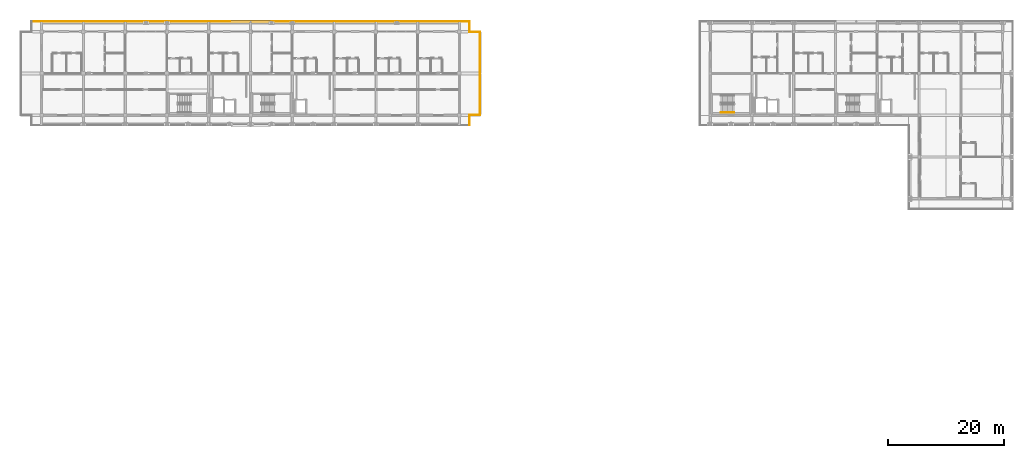
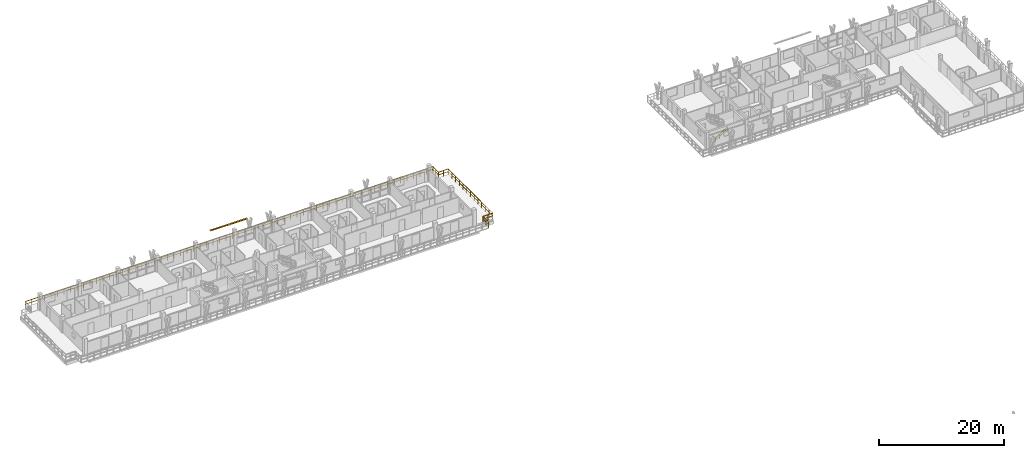
# One storey, part 52 of 56: 7 railings, 1 shading device.
"""IFC4 building model written with IfcOpenShell, lengths in metres."""

from ifc_helpers import new_model, si_unit, direction, frame, origin, origin_2d, place, context, subcontext, project, spatial, rectangle, extrude, material, type_object, element, save


model = new_model("IFC4")

# Units and contexts
model_context = context("Model", 3, precision=1e-05, world=origin(), true_north=direction((0.0, 1.0)))
body_context = subcontext(model_context, "Body", "Model", "MODEL_VIEW")
ifc_project = project(units=[si_unit("LENGTHUNIT", "METRE"), si_unit("AREAUNIT", "SQUARE_METRE"), si_unit("VOLUMEUNIT", "CUBIC_METRE"), si_unit("PLANEANGLEUNIT", "RADIAN"), si_unit("MASSUNIT", "GRAM", prefix="KILO")], contexts=[model_context])

# Site, building, storey
site_placement = place(None, origin())
site = spatial("IfcSite", under=ifc_project, at=site_placement, CompositionType="ELEMENT")
building_placement = place(site_placement, origin())
building = spatial("IfcBuilding", under=site, at=building_placement, Name="Suanplinth Sawtooth Commons", CompositionType="ELEMENT")
storey_placement = place(building_placement, frame((0.0, 0.0, 34.800048828125)))
storey = spatial("IfcBuildingStorey", under=building, at=storey_placement, Name="L10", CompositionType="ELEMENT", Elevation=34.800048828125)

# Railings
ifc_material_1 = material(Name="Powder-coated galvanized steel", Category="steel")
railing_type_1 = type_object("IfcRailingType", Name="GR-01", PredefinedType="BALUSTRADE", material=ifc_material_1)
railing_1_placement = place(storey_placement, frame((19.860107421875, 124.139892578125, 0.0)))
element("IfcRailing", 1, at=railing_1_placement, inside=storey, type_object=railing_type_1, Name="L10 Block A Perimeter Balustrade 5", PredefinedType="BALUSTRADE", context=body_context, shape_type="SweptSolid", body=[
    extrude(rectangle(XDim=0.048095703125, YDim=0.048095703125, at=origin_2d()), frame((0.0, 0.0, 1.09619140625), z_axis=(1.0, 0.0, 0.0), x_axis=(0.0, 1.0, 0.0)), (0.0, 0.0, 1.0), 75.47998046875),
    extrude(rectangle(XDim=0.03369140625, YDim=0.03369140625, at=origin_2d()), frame((0.0, 0.0, 0.56005859375), z_axis=(1.0, 0.0, 0.0), x_axis=(0.0, 1.0, 0.0)), (0.0, 0.0, 1.0), 75.47998046875),
    extrude(rectangle(XDim=0.0419921875, YDim=0.0419921875, at=origin_2d()), origin(), (0.0, 0.0, 1.0), 1.072021484375),
    extrude(rectangle(XDim=0.0419921875, YDim=0.0419921875, at=origin_2d()), frame((1.197998046875, 0.0, 0.0)), (0.0, 0.0, 1.0), 1.072021484375),
    extrude(rectangle(XDim=0.0419921875, YDim=0.0419921875, at=origin_2d()), frame((2.396240234375, 0.0, 0.0)), (0.0, 0.0, 1.0), 1.072021484375),
    extrude(rectangle(XDim=0.0419921875, YDim=0.0419921875, at=origin_2d()), frame((3.59423828125, 0.0, 0.0)), (0.0, 0.0, 1.0), 1.072021484375),
    extrude(rectangle(XDim=0.0419921875, YDim=0.0419921875, at=origin_2d()), frame((4.79248046875, 0.0, 0.0)), (0.0, 0.0, 1.0), 1.072021484375),
    extrude(rectangle(XDim=0.0419921875, YDim=0.0419921875, at=origin_2d()), frame((5.990478515625, 0.0, 0.0)), (0.0, 0.0, 1.0), 1.072021484375),
    extrude(rectangle(XDim=0.0419921875, YDim=0.0419921875, at=origin_2d()), frame((7.1884765625, 0.0, 0.0)), (0.0, 0.0, 1.0), 1.072021484375),
    extrude(rectangle(XDim=0.0419921875, YDim=0.0419921875, at=origin_2d()), frame((8.38671875, 0.0, 0.0)), (0.0, 0.0, 1.0), 1.072021484375),
    extrude(rectangle(XDim=0.0419921875, YDim=0.0419921875, at=origin_2d()), frame((9.584716796875, 0.0, 0.0)), (0.0, 0.0, 1.0), 1.072021484375),
    extrude(rectangle(XDim=0.0419921875, YDim=0.0419921875, at=origin_2d()), frame((10.782958984375, 0.0, 0.0)), (0.0, 0.0, 1.0), 1.072021484375),
    extrude(rectangle(XDim=0.0419921875, YDim=0.0419921875, at=origin_2d()), frame((11.98095703125, 0.0, 0.0)), (0.0, 0.0, 1.0), 1.072021484375),
    extrude(rectangle(XDim=0.0419921875, YDim=0.0419921875, at=origin_2d()), frame((13.178955078125, 0.0, 0.0)), (0.0, 0.0, 1.0), 1.072021484375),
    extrude(rectangle(XDim=0.0419921875, YDim=0.0419921875, at=origin_2d()), frame((14.377197265625, 0.0, 0.0)), (0.0, 0.0, 1.0), 1.072021484375),
    extrude(rectangle(XDim=0.0419921875, YDim=0.0419921875, at=origin_2d()), frame((15.5751953125, 0.0, 0.0)), (0.0, 0.0, 1.0), 1.072021484375),
    extrude(rectangle(XDim=0.0419921875, YDim=0.0419921875, at=origin_2d()), frame((16.7734375, 0.0, 0.0)), (0.0, 0.0, 1.0), 1.072021484375),
    extrude(rectangle(XDim=0.0419921875, YDim=0.0419921875, at=origin_2d()), frame((17.971435546875, 0.0, 0.0)), (0.0, 0.0, 1.0), 1.072021484375),
    extrude(rectangle(XDim=0.0419921875, YDim=0.0419921875, at=origin_2d()), frame((19.16943359375, 0.0, 0.0)), (0.0, 0.0, 1.0), 1.072021484375),
    extrude(rectangle(XDim=0.0419921875, YDim=0.0419921875, at=origin_2d()), frame((20.36767578125, 0.0, 0.0)), (0.0, 0.0, 1.0), 1.072021484375),
    extrude(rectangle(XDim=0.0419921875, YDim=0.0419921875, at=origin_2d()), frame((21.565673828125, 0.0, 0.0)), (0.0, 0.0, 1.0), 1.072021484375),
    extrude(rectangle(XDim=0.0419921875, YDim=0.0419921875, at=origin_2d()), frame((22.763916015625, 0.0, 0.0)), (0.0, 0.0, 1.0), 1.072021484375),
    extrude(rectangle(XDim=0.0419921875, YDim=0.0419921875, at=origin_2d()), frame((23.9619140625, 0.0, 0.0)), (0.0, 0.0, 1.0), 1.072021484375),
    extrude(rectangle(XDim=0.0419921875, YDim=0.0419921875, at=origin_2d()), frame((25.159912109375, 0.0, 0.0)), (0.0, 0.0, 1.0), 1.072021484375),
    extrude(rectangle(XDim=0.0419921875, YDim=0.0419921875, at=origin_2d()), frame((26.358154296875, 0.0, 0.0)), (0.0, 0.0, 1.0), 1.072021484375),
    extrude(rectangle(XDim=0.0419921875, YDim=0.0419921875, at=origin_2d()), frame((27.55615234375, 0.0, 0.0)), (0.0, 0.0, 1.0), 1.072021484375),
    extrude(rectangle(XDim=0.0419921875, YDim=0.0419921875, at=origin_2d()), frame((28.75439453125, 0.0, 0.0)), (0.0, 0.0, 1.0), 1.072021484375),
    extrude(rectangle(XDim=0.0419921875, YDim=0.0419921875, at=origin_2d()), frame((29.952392578125, 0.0, 0.0)), (0.0, 0.0, 1.0), 1.072021484375),
    extrude(rectangle(XDim=0.0419921875, YDim=0.0419921875, at=origin_2d()), frame((31.150390625, 0.0, 0.0)), (0.0, 0.0, 1.0), 1.072021484375),
    extrude(rectangle(XDim=0.0419921875, YDim=0.0419921875, at=origin_2d()), frame((32.3486328125, 0.0, 0.0)), (0.0, 0.0, 1.0), 1.072021484375),
    extrude(rectangle(XDim=0.0419921875, YDim=0.0419921875, at=origin_2d()), frame((33.546630859375, 0.0, 0.0)), (0.0, 0.0, 1.0), 1.072021484375),
    extrude(rectangle(XDim=0.0419921875, YDim=0.0419921875, at=origin_2d()), frame((34.744873046875, 0.0, 0.0)), (0.0, 0.0, 1.0), 1.072021484375),
    extrude(rectangle(XDim=0.0419921875, YDim=0.0419921875, at=origin_2d()), frame((35.94287109375, 0.0, 0.0)), (0.0, 0.0, 1.0), 1.072021484375),
    extrude(rectangle(XDim=0.0419921875, YDim=0.0419921875, at=origin_2d()), frame((37.140869140625, 0.0, 0.0)), (0.0, 0.0, 1.0), 1.072021484375),
    extrude(rectangle(XDim=0.0419921875, YDim=0.0419921875, at=origin_2d()), frame((38.339111328125, 0.0, 0.0)), (0.0, 0.0, 1.0), 1.072021484375),
    extrude(rectangle(XDim=0.0419921875, YDim=0.0419921875, at=origin_2d()), frame((39.537109375, 0.0, 0.0)), (0.0, 0.0, 1.0), 1.072021484375),
    extrude(rectangle(XDim=0.0419921875, YDim=0.0419921875, at=origin_2d()), frame((40.735107421875, 0.0, 0.0)), (0.0, 0.0, 1.0), 1.072021484375),
    extrude(rectangle(XDim=0.0419921875, YDim=0.0419921875, at=origin_2d()), frame((41.933349609375, 0.0, 0.0)), (0.0, 0.0, 1.0), 1.072021484375),
    extrude(rectangle(XDim=0.0419921875, YDim=0.0419921875, at=origin_2d()), frame((43.13134765625, 0.0, 0.0)), (0.0, 0.0, 1.0), 1.072021484375),
    extrude(rectangle(XDim=0.0419921875, YDim=0.0419921875, at=origin_2d()), frame((44.32958984375, 0.0, 0.0)), (0.0, 0.0, 1.0), 1.072021484375),
    extrude(rectangle(XDim=0.0419921875, YDim=0.0419921875, at=origin_2d()), frame((45.527587890625, 0.0, 0.0)), (0.0, 0.0, 1.0), 1.072021484375),
    extrude(rectangle(XDim=0.0419921875, YDim=0.0419921875, at=origin_2d()), frame((46.7255859375, 0.0, 0.0)), (0.0, 0.0, 1.0), 1.072021484375),
    extrude(rectangle(XDim=0.0419921875, YDim=0.0419921875, at=origin_2d()), frame((47.923828125, 0.0, 0.0)), (0.0, 0.0, 1.0), 1.072021484375),
    extrude(rectangle(XDim=0.0419921875, YDim=0.0419921875, at=origin_2d()), frame((49.121826171875, 0.0, 0.0)), (0.0, 0.0, 1.0), 1.072021484375),
    extrude(rectangle(XDim=0.0419921875, YDim=0.0419921875, at=origin_2d()), frame((50.320068359375, 0.0, 0.0)), (0.0, 0.0, 1.0), 1.072021484375),
    extrude(rectangle(XDim=0.0419921875, YDim=0.0419921875, at=origin_2d()), frame((51.51806640625, 0.0, 0.0)), (0.0, 0.0, 1.0), 1.072021484375),
    extrude(rectangle(XDim=0.0419921875, YDim=0.0419921875, at=origin_2d()), frame((52.716064453125, 0.0, 0.0)), (0.0, 0.0, 1.0), 1.072021484375),
    extrude(rectangle(XDim=0.0419921875, YDim=0.0419921875, at=origin_2d()), frame((53.914306640625, 0.0, 0.0)), (0.0, 0.0, 1.0), 1.072021484375),
    extrude(rectangle(XDim=0.0419921875, YDim=0.0419921875, at=origin_2d()), frame((55.1123046875, 0.0, 0.0)), (0.0, 0.0, 1.0), 1.072021484375),
    extrude(rectangle(XDim=0.0419921875, YDim=0.0419921875, at=origin_2d()), frame((56.310546875, 0.0, 0.0)), (0.0, 0.0, 1.0), 1.072021484375),
    extrude(rectangle(XDim=0.0419921875, YDim=0.0419921875, at=origin_2d()), frame((57.508544921875, 0.0, 0.0)), (0.0, 0.0, 1.0), 1.072021484375),
    extrude(rectangle(XDim=0.0419921875, YDim=0.0419921875, at=origin_2d()), frame((58.70654296875, 0.0, 0.0)), (0.0, 0.0, 1.0), 1.072021484375),
    extrude(rectangle(XDim=0.0419921875, YDim=0.0419921875, at=origin_2d()), frame((59.90478515625, 0.0, 0.0)), (0.0, 0.0, 1.0), 1.072021484375),
    extrude(rectangle(XDim=0.0419921875, YDim=0.0419921875, at=origin_2d()), frame((61.102783203125, 0.0, 0.0)), (0.0, 0.0, 1.0), 1.072021484375),
    extrude(rectangle(XDim=0.0419921875, YDim=0.0419921875, at=origin_2d()), frame((62.301025390625, 0.0, 0.0)), (0.0, 0.0, 1.0), 1.072021484375),
    extrude(rectangle(XDim=0.0419921875, YDim=0.0419921875, at=origin_2d()), frame((63.4990234375, 0.0, 0.0)), (0.0, 0.0, 1.0), 1.072021484375),
    extrude(rectangle(XDim=0.0419921875, YDim=0.0419921875, at=origin_2d()), frame((64.697021484375, 0.0, 0.0)), (0.0, 0.0, 1.0), 1.072021484375),
    extrude(rectangle(XDim=0.0419921875, YDim=0.0419921875, at=origin_2d()), frame((65.895263671875, 0.0, 0.0)), (0.0, 0.0, 1.0), 1.072021484375),
    extrude(rectangle(XDim=0.0419921875, YDim=0.0419921875, at=origin_2d()), frame((67.09326171875, 0.0, 0.0)), (0.0, 0.0, 1.0), 1.072021484375),
    extrude(rectangle(XDim=0.0419921875, YDim=0.0419921875, at=origin_2d()), frame((68.29150390625, 0.0, 0.0)), (0.0, 0.0, 1.0), 1.072021484375),
    extrude(rectangle(XDim=0.0419921875, YDim=0.0419921875, at=origin_2d()), frame((69.489501953125, 0.0, 0.0)), (0.0, 0.0, 1.0), 1.072021484375),
    extrude(rectangle(XDim=0.0419921875, YDim=0.0419921875, at=origin_2d()), frame((70.6875, 0.0, 0.0)), (0.0, 0.0, 1.0), 1.072021484375),
    extrude(rectangle(XDim=0.0419921875, YDim=0.0419921875, at=origin_2d()), frame((71.8857421875, 0.0, 0.0)), (0.0, 0.0, 1.0), 1.072021484375),
    extrude(rectangle(XDim=0.0419921875, YDim=0.0419921875, at=origin_2d()), frame((73.083740234375, 0.0, 0.0)), (0.0, 0.0, 1.0), 1.072021484375),
    extrude(rectangle(XDim=0.0419921875, YDim=0.0419921875, at=origin_2d()), frame((74.281982421875, 0.0, 0.0)), (0.0, 0.0, 1.0), 1.072021484375),
    extrude(rectangle(XDim=0.0419921875, YDim=0.0419921875, at=origin_2d()), frame((75.47998046875, 0.0, 0.0)), (0.0, 0.0, 1.0), 1.072021484375),
])
railing_2_placement = place(storey_placement, frame((95.340087890625, 124.139892578125, 0.0)))
element("IfcRailing", 2, at=railing_2_placement, inside=storey, type_object=railing_type_1, Name="L10 Block A Perimeter Balustrade 6", PredefinedType="BALUSTRADE", context=body_context, shape_type="SweptSolid", body=[
    extrude(rectangle(XDim=0.048095703125, YDim=0.048095703125, at=origin_2d()), frame((0.0, 0.0, 1.09619140625), z_axis=(0.0, -1.0, 0.0), x_axis=(1.0, 0.0, 0.0)), (0.0, 0.0, 1.0), 1.7998046875),
    extrude(rectangle(XDim=0.03369140625, YDim=0.03369140625, at=origin_2d()), frame((0.0, 0.0, 0.56005859375), z_axis=(0.0, -1.0, 0.0), x_axis=(1.0, 0.0, 0.0)), (0.0, 0.0, 1.0), 1.7998046875),
    extrude(rectangle(XDim=0.0419921875, YDim=0.0419921875, at=origin_2d()), origin(), (0.0, 0.0, 1.0), 1.072021484375),
    extrude(rectangle(XDim=0.0419921875, YDim=0.0419921875, at=origin_2d()), frame((0.0, -0.89990234375, 0.0)), (0.0, 0.0, 1.0), 1.072021484375),
    extrude(rectangle(XDim=0.0419921875, YDim=0.0419921875, at=origin_2d()), frame((0.0, -1.7998046875, 0.0)), (0.0, 0.0, 1.0), 1.072021484375),
])
railing_3_placement = place(storey_placement, frame((95.340087890625, 122.340087890625, 0.0)))
element("IfcRailing", 3, at=railing_3_placement, inside=storey, type_object=railing_type_1, Name="L10 Block A Perimeter Balustrade 7", PredefinedType="BALUSTRADE", context=body_context, shape_type="SweptSolid", body=[
    extrude(rectangle(XDim=0.048095703125, YDim=0.048095703125, at=origin_2d()), frame((0.0, 0.0, 1.09619140625), z_axis=(1.0, 0.0, 0.0), x_axis=(0.0, 1.0, 0.0)), (0.0, 0.0, 1.0), 1.7998046875),
    extrude(rectangle(XDim=0.03369140625, YDim=0.03369140625, at=origin_2d()), frame((0.0, 0.0, 0.56005859375), z_axis=(1.0, 0.0, 0.0), x_axis=(0.0, 1.0, 0.0)), (0.0, 0.0, 1.0), 1.7998046875),
    extrude(rectangle(XDim=0.0419921875, YDim=0.0419921875, at=origin_2d()), origin(), (0.0, 0.0, 1.0), 1.072021484375),
    extrude(rectangle(XDim=0.0419921875, YDim=0.0419921875, at=origin_2d()), frame((0.89990234375, 0.0, 0.0)), (0.0, 0.0, 1.0), 1.072021484375),
    extrude(rectangle(XDim=0.0419921875, YDim=0.0419921875, at=origin_2d()), frame((1.7998046875, 0.0, 0.0)), (0.0, 0.0, 1.0), 1.072021484375),
])
railing_4_placement = place(storey_placement, frame((97.139892578125, 122.340087890625, 0.0)))
element("IfcRailing", 4, at=railing_4_placement, inside=storey, type_object=railing_type_1, Name="L10 Block A Perimeter Balustrade 8", PredefinedType="BALUSTRADE", context=body_context, shape_type="SweptSolid", body=[
    extrude(rectangle(XDim=0.048095703125, YDim=0.048095703125, at=origin_2d()), frame((0.0, 0.0, 1.09619140625), z_axis=(0.0, -1.0, 0.0), x_axis=(1.0, 0.0, 0.0)), (0.0, 0.0, 1.0), 14.280029296875),
    extrude(rectangle(XDim=0.03369140625, YDim=0.03369140625, at=origin_2d()), frame((0.0, 0.0, 0.56005859375), z_axis=(0.0, -1.0, 0.0), x_axis=(1.0, 0.0, 0.0)), (0.0, 0.0, 1.0), 14.280029296875),
    extrude(rectangle(XDim=0.0419921875, YDim=0.0419921875, at=origin_2d()), origin(), (0.0, 0.0, 1.0), 1.072021484375),
    extrude(rectangle(XDim=0.0419921875, YDim=0.0419921875, at=origin_2d()), frame((0.0, -1.18994140625, 0.0)), (0.0, 0.0, 1.0), 1.072021484375),
    extrude(rectangle(XDim=0.0419921875, YDim=0.0419921875, at=origin_2d()), frame((0.0, -2.3798828125, 0.0)), (0.0, 0.0, 1.0), 1.072021484375),
    extrude(rectangle(XDim=0.0419921875, YDim=0.0419921875, at=origin_2d()), frame((0.0, -3.570068359375, 0.0)), (0.0, 0.0, 1.0), 1.072021484375),
    extrude(rectangle(XDim=0.0419921875, YDim=0.0419921875, at=origin_2d()), frame((0.0, -4.760009765625, 0.0)), (0.0, 0.0, 1.0), 1.072021484375),
    extrude(rectangle(XDim=0.0419921875, YDim=0.0419921875, at=origin_2d()), frame((0.0, -5.949951171875, 0.0)), (0.0, 0.0, 1.0), 1.072021484375),
    extrude(rectangle(XDim=0.0419921875, YDim=0.0419921875, at=origin_2d()), frame((0.0, -7.14013671875, 0.0)), (0.0, 0.0, 1.0), 1.072021484375),
    extrude(rectangle(XDim=0.0419921875, YDim=0.0419921875, at=origin_2d()), frame((0.0, -8.330078125, 0.0)), (0.0, 0.0, 1.0), 1.072021484375),
    extrude(rectangle(XDim=0.0419921875, YDim=0.0419921875, at=origin_2d()), frame((0.0, -9.52001953125, 0.0)), (0.0, 0.0, 1.0), 1.072021484375),
    extrude(rectangle(XDim=0.0419921875, YDim=0.0419921875, at=origin_2d()), frame((0.0, -10.7099609375, 0.0)), (0.0, 0.0, 1.0), 1.072021484375),
    extrude(rectangle(XDim=0.0419921875, YDim=0.0419921875, at=origin_2d()), frame((0.0, -11.89990234375, 0.0)), (0.0, 0.0, 1.0), 1.072021484375),
    extrude(rectangle(XDim=0.0419921875, YDim=0.0419921875, at=origin_2d()), frame((0.0, -13.090087890625, 0.0)), (0.0, 0.0, 1.0), 1.072021484375),
    extrude(rectangle(XDim=0.0419921875, YDim=0.0419921875, at=origin_2d()), frame((0.0, -14.280029296875, 0.0)), (0.0, 0.0, 1.0), 1.072021484375),
])
railing_5_placement = place(storey_placement, frame((97.139892578125, 108.06005859375, 0.0)))
element("IfcRailing", 5, at=railing_5_placement, inside=storey, type_object=railing_type_1, Name="L10 Block A Perimeter Balustrade 9", PredefinedType="BALUSTRADE", context=body_context, shape_type="SweptSolid", body=[
    extrude(rectangle(XDim=0.048095703125, YDim=0.048095703125, at=origin_2d()), frame((0.0, 0.0, 1.09619140625), z_axis=(-1.0, 0.0, 0.0), x_axis=(0.0, -1.0, 0.0)), (0.0, 0.0, 1.0), 1.7998046875),
    extrude(rectangle(XDim=0.03369140625, YDim=0.03369140625, at=origin_2d()), frame((0.0, 0.0, 0.56005859375), z_axis=(-1.0, 0.0, 0.0), x_axis=(0.0, -1.0, 0.0)), (0.0, 0.0, 1.0), 1.7998046875),
    extrude(rectangle(XDim=0.0419921875, YDim=0.0419921875, at=origin_2d()), origin(), (0.0, 0.0, 1.0), 1.072021484375),
    extrude(rectangle(XDim=0.0419921875, YDim=0.0419921875, at=origin_2d()), frame((-0.89990234375, 0.0, 0.0)), (0.0, 0.0, 1.0), 1.072021484375),
    extrude(rectangle(XDim=0.0419921875, YDim=0.0419921875, at=origin_2d()), frame((-1.7998046875, 0.0, 0.0)), (0.0, 0.0, 1.0), 1.072021484375),
])
railing_6_placement = place(storey_placement, frame((95.340087890625, 108.06005859375, 0.0)))
element("IfcRailing", 6, at=railing_6_placement, inside=storey, type_object=railing_type_1, Name="L10 Block A Perimeter Balustrade 10", PredefinedType="BALUSTRADE", context=body_context, shape_type="SweptSolid", body=[
    extrude(rectangle(XDim=0.048095703125, YDim=0.048095703125, at=origin_2d()), frame((0.0, 0.0, 1.09619140625), z_axis=(0.0, -1.0, 0.0), x_axis=(1.0, 0.0, 0.0)), (0.0, 0.0, 1.0), 1.800048828125),
    extrude(rectangle(XDim=0.03369140625, YDim=0.03369140625, at=origin_2d()), frame((0.0, 0.0, 0.56005859375), z_axis=(0.0, -1.0, 0.0), x_axis=(1.0, 0.0, 0.0)), (0.0, 0.0, 1.0), 1.800048828125),
    extrude(rectangle(XDim=0.0419921875, YDim=0.0419921875, at=origin_2d()), origin(), (0.0, 0.0, 1.0), 1.072021484375),
    extrude(rectangle(XDim=0.0419921875, YDim=0.0419921875, at=origin_2d()), frame((0.0, -0.89990234375, 0.0)), (0.0, 0.0, 1.0), 1.072021484375),
    extrude(rectangle(XDim=0.0419921875, YDim=0.0419921875, at=origin_2d()), frame((0.0, -1.800048828125, 0.0)), (0.0, 0.0, 1.0), 1.072021484375),
])
ifc_material_2 = material(Name="Stainless steel Grade 304", Category="steel")
railing_type_2 = type_object("IfcRailingType", Name="HR-01", PredefinedType="HANDRAIL", material=ifc_material_2)
railing_7_placement = place(storey_placement, frame((138.64990234375, 108.5, 0.177734375)))
element("IfcRailing", 7, at=railing_7_placement, inside=storey, type_object=railing_type_2, Name="L10 ST-E1 Handrail 1", PredefinedType="HANDRAIL", context=body_context, shape_type="SweptSolid", body=[
    extrude(rectangle(XDim=0.048095703125, YDim=0.048095703125, at=origin_2d()), frame((0.0, 0.0, 0.8759765625), z_axis=(0.848482842525, 0.0, 0.529222888715), x_axis=(0.0, 1.0, 0.0)), (0.0, 0.0, 1.0), 2.687255859375),
    extrude(rectangle(XDim=0.03369140625, YDim=0.03369140625, at=origin_2d()), frame((0.0, 0.0, 0.449951171875), z_axis=(0.848482842525, 0.0, 0.529222888715), x_axis=(0.0, 1.0, 0.0)), (0.0, 0.0, 1.0), 2.687255859375),
    extrude(rectangle(XDim=0.0419921875, YDim=0.0419921875, at=origin_2d()), origin(), (0.0, 0.0, 1.0), 0.851806640625),
    extrude(rectangle(XDim=0.0419921875, YDim=0.0419921875, at=origin_2d()), frame((0.760009765625, 0.0, 0.47412109375)), (0.0, 0.0, 1.0), 0.851806640625),
    extrude(rectangle(XDim=0.0419921875, YDim=0.0419921875, at=origin_2d()), frame((1.52001953125, 0.0, 0.947998046875)), (0.0, 0.0, 1.0), 0.851806640625),
    extrude(rectangle(XDim=0.0419921875, YDim=0.0419921875, at=origin_2d()), frame((2.280029296875, 0.0, 1.422119140625)), (0.0, 0.0, 1.0), 0.851806640625),
])

# Shading device
ifc_material_3 = material(Name="Anodized aluminium 6063-T6", Category="aluminium")
shading_device_type = type_object("IfcShadingDeviceType", Name="SHD-01", PredefinedType="JALOUSIE", material=ifc_material_3)
shading_device_placement = place(storey_placement, frame((57.60009765625, 124.239990234375, 2.919921875), z_axis=(0.0, 0.0, 1.0), x_axis=(1.0, 0.0, 0.0)))
element("IfcShadingDevice", 8, at=shading_device_placement, inside=storey, type_object=shading_device_type, Name="Monsoon Louvre L10-A-1", PredefinedType="JALOUSIE", context=body_context, shape_type="SweptSolid", body=[
    extrude(rectangle(XDim=6.800048828125, YDim=0.35009765625, at=origin_2d()), origin(), (0.0, 0.0, 1.0), 0.06005859375),
])

save(model, "model.ifc")
